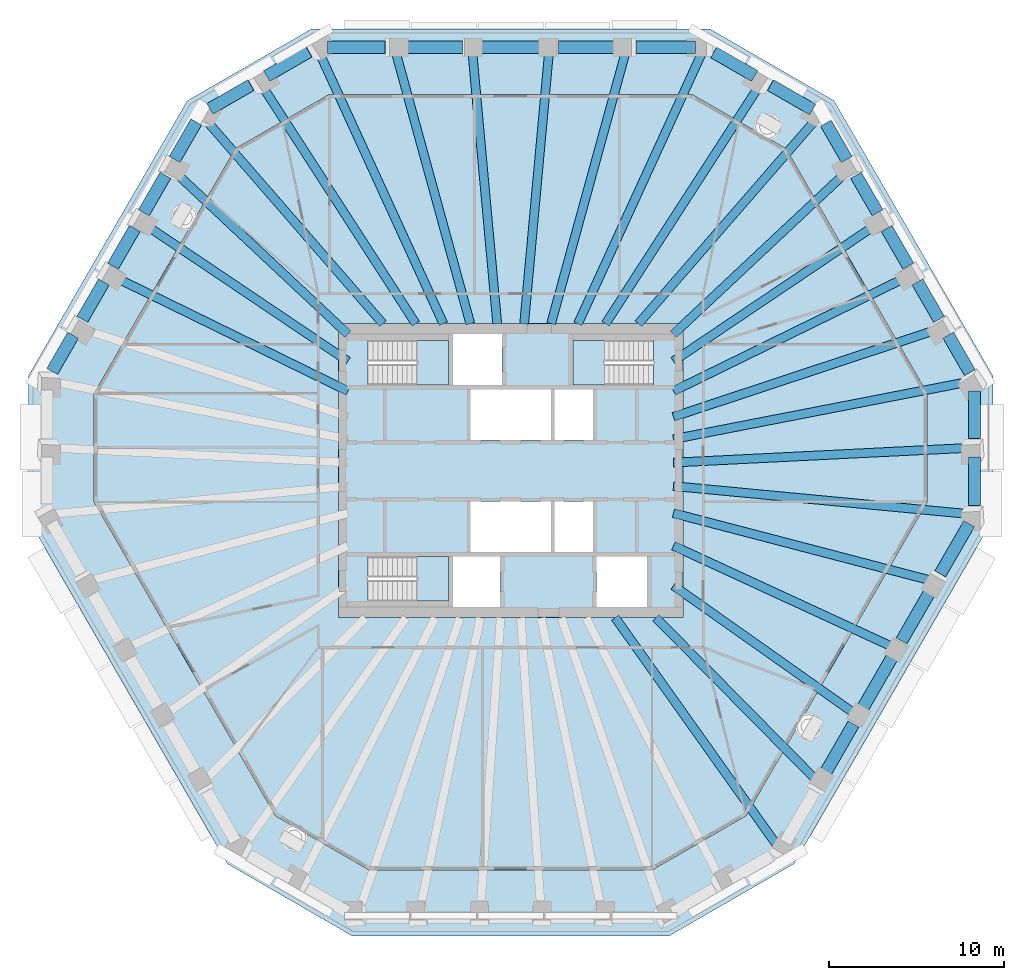
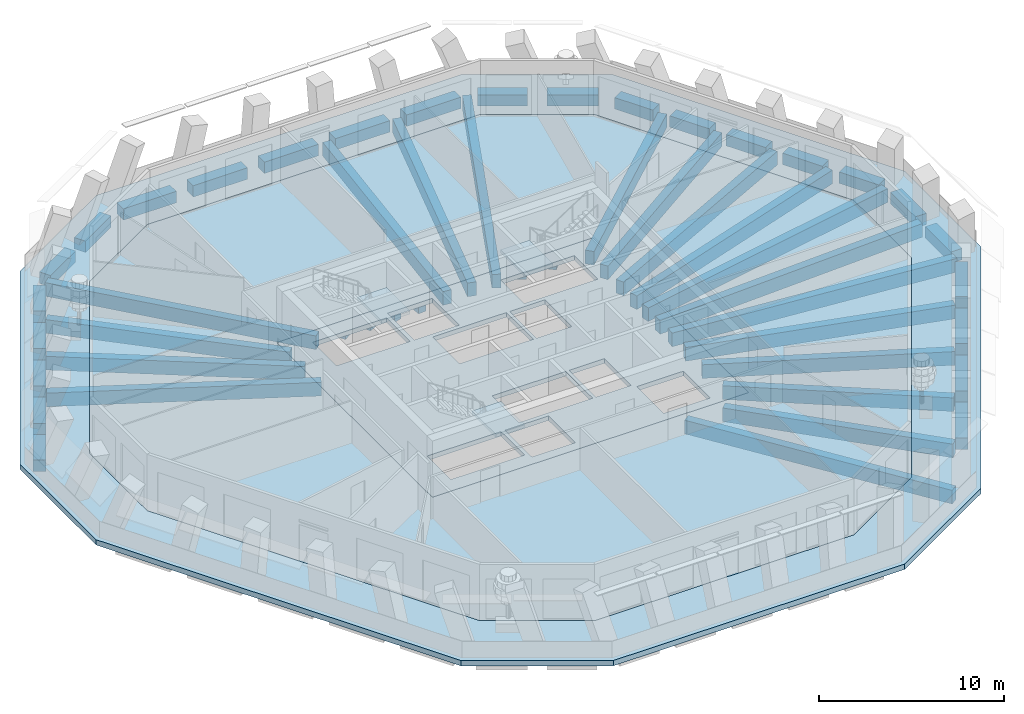
# One storey, part 2 of 12: 50 beams, 6 slabs, 3 elements without a shape of their own.
"""IFC4 building model written with IfcOpenShell, lengths in metres."""

import ifcopenshell
import ifcopenshell.guid

model = None  # the IFC model being written
_history = None  # IfcOwnerHistory: only IFC2X3 demands one
_inside = {}  # id of a spatial element -> (the spatial element, [elements in it])
_under = {}  # id of a project, library or spatial element -> (it, [spatial elements below it])
_declared = {}  # id of a project -> (the project, [libraries it declares])
_typed = {}  # id of a type object -> (the type object, [elements of that type])
_made_of = {}  # id of a material, layer set ... -> (it, [elements and type objects made of it])


def new_model(schema):
    """Start an empty IFC model of exactly this schema.

    Asked for "IFC4X3", IfcOpenShell would pick the latest addendum, in which some entities
    have other attributes; the version numbers below select the first issue.
    IFC2X3 requires an IfcOwnerHistory on every rooted entity: one is made here for all.
    """
    global model, _history
    if schema == "IFC4X3":
        model = ifcopenshell.file(schema_version=(4, 3, 0, 0))
    else:
        model = ifcopenshell.file(schema=schema)
    _inside.clear()
    _under.clear()
    _declared.clear()
    _typed.clear()
    _made_of.clear()
    _history = None
    if model.schema == "IFC2X3":
        org = make("IfcOrganization", Name="unknown")
        user = make(
            "IfcPersonAndOrganization",
            ThePerson=make("IfcPerson", FamilyName="unknown"),
            TheOrganization=org,
        )
        app = make(
            "IfcApplication",
            ApplicationDeveloper=org,
            Version="unknown",
            ApplicationFullName="unknown",
            ApplicationIdentifier="unknown",
        )
        _history = make(
            "IfcOwnerHistory",
            OwningUser=user,
            OwningApplication=app,
            ChangeAction="ADDED",
            CreationDate=0,
        )
    return model


def make(cls, **values):
    """One entity of the class cls with the attributes given. An attribute that is None is left unset."""
    return model.create_entity(
        cls, **{name: value for name, value in values.items() if value is not None}
    )


def rooted(cls, **values):
    """An entity with a GlobalId (a new one), such as an element, a storey or a relation."""
    return make(cls, GlobalId=ifcopenshell.guid.new(), OwnerHistory=_history, **values)


def si_unit(unit_type, name, prefix=None):
    """IfcSIUnit, for example si_unit("LENGTHUNIT", "METRE", prefix="MILLI")."""
    return make("IfcSIUnit", UnitType=unit_type, Prefix=prefix, Name=name)


def assignment(units):
    """IfcUnitAssignment: the units of a project."""
    return None if units is None else make("IfcUnitAssignment", Units=units)


def point(xyz):
    """IfcCartesianPoint."""
    return None if xyz is None else make("IfcCartesianPoint", Coordinates=xyz)


def direction(xyz):
    """IfcDirection."""
    return None if xyz is None else make("IfcDirection", DirectionRatios=xyz)


def frame(location, z_axis=None, x_axis=None):
    """IfcAxis2Placement3D, a coordinate frame: its origin and axes. An axis left out is left unset."""
    return make(
        "IfcAxis2Placement3D",
        Location=point(location),
        Axis=direction(z_axis),
        RefDirection=direction(x_axis),
    )


def frame_2d(location, x_axis=None):
    """IfcAxis2Placement2D, a coordinate frame in the plane: its origin and x axis."""
    return make(
        "IfcAxis2Placement2D", Location=point(location), RefDirection=direction(x_axis)
    )


def origin():
    """The frame at (0, 0, 0) with its axes left unset."""
    return frame((0.0, 0.0, 0.0))


def origin_2d():
    """The frame at (0, 0) in the plane with its x axis left unset."""
    return frame_2d((0.0, 0.0))


def place(relative_to, where):
    """IfcLocalPlacement: puts the frame where relative to a parent placement (None: the world)."""
    return make(
        "IfcLocalPlacement", PlacementRelTo=relative_to, RelativePlacement=where
    )


def context(
    kind, dimensions, precision=None, world=None, true_north=None, identifier=None
):
    """IfcGeometricRepresentationContext, for example the 3D "Model" context."""
    return make(
        "IfcGeometricRepresentationContext",
        ContextIdentifier=identifier,
        ContextType=kind,
        CoordinateSpaceDimension=dimensions,
        Precision=precision,
        WorldCoordinateSystem=world,
        TrueNorth=true_north,
    )


def subcontext(parent, identifier, kind, view, scale=None):
    """IfcGeometricRepresentationSubContext, for example "Body" below "Model"."""
    return make(
        "IfcGeometricRepresentationSubContext",
        ContextIdentifier=identifier,
        ContextType=kind,
        ParentContext=parent,
        TargetScale=scale,
        TargetView=view,
    )


def project(units=None, contexts=None):
    """IfcProject with its units and contexts."""
    return rooted(
        "IfcProject",
        Name="project",
        RepresentationContexts=contexts,
        UnitsInContext=assignment(units),
    )


def spatial(cls, under=None, at=None, **own):
    """A site, building, storey or space (cls), placed at a placement, below another one or the project."""
    s = rooted(cls, ObjectPlacement=at, **own)
    if under is not None:
        _under.setdefault(under.id(), (under, []))[1].append(s)
    return s


def polyline(points):
    """IfcPolyline through the points."""
    return make("IfcPolyline", Points=[point(p) for p in points])


def profile(cls, at=None, kind="AREA", **sizes):
    """A parametric profile (cls). Its sizes go by their IFC names, for example OverallWidth=200.0."""
    return make(cls, ProfileType=kind, Position=at, **sizes)


def rectangle(**sizes):
    """IfcRectangleProfileDef."""
    return profile("IfcRectangleProfileDef", **sizes)


def outline(outer, holes=None, kind="AREA"):
    """IfcArbitraryClosedProfileDef: a profile drawn as a closed curve; with holes, ...WithVoids."""
    if holes is None:
        return make("IfcArbitraryClosedProfileDef", ProfileType=kind, OuterCurve=outer)
    return make(
        "IfcArbitraryProfileDefWithVoids",
        ProfileType=kind,
        OuterCurve=outer,
        InnerCurves=holes,
    )


def extrude(swept, where, along, depth):
    """IfcExtrudedAreaSolid: the profile swept, set in the frame where, extruded along a direction by depth."""
    return make(
        "IfcExtrudedAreaSolid",
        SweptArea=swept,
        Position=where,
        ExtrudedDirection=direction(along),
        Depth=depth,
    )


def shape(context_of_items, identifier, shape_type, items):
    """IfcShapeRepresentation: the items that make up one representation, for example the "Body"."""
    return make(
        "IfcShapeRepresentation",
        ContextOfItems=context_of_items,
        RepresentationIdentifier=identifier,
        RepresentationType=shape_type,
        Items=items,
    )


def material(Name=None, Category=None):
    """IfcMaterial."""
    return make("IfcMaterial", Name=Name, Category=Category)


def layer(
    of_material, thickness, ventilated=None, Name=None, Category=None, Priority=None
):
    """IfcMaterialLayer: one layer of a wall or slab, of a material (None: an air gap)."""
    return make(
        "IfcMaterialLayer",
        Material=of_material,
        LayerThickness=thickness,
        IsVentilated=ventilated,
        Name=Name,
        Category=Category,
        Priority=Priority,
    )


def layer_set(layers, Name=None):
    """IfcMaterialLayerSet."""
    return make("IfcMaterialLayerSet", MaterialLayers=layers, LayerSetName=Name)


def material_profile(
    of_material, cross_section, Name=None, Category=None, Priority=None
):
    """IfcMaterialProfile: a cross section and its material."""
    return make(
        "IfcMaterialProfile",
        Name=Name,
        Material=of_material,
        Profile=cross_section,
        Priority=Priority,
        Category=Category,
    )


def profile_set(profiles, Name=None, composite=None):
    """IfcMaterialProfileSet."""
    return make(
        "IfcMaterialProfileSet",
        Name=Name,
        MaterialProfiles=profiles,
        CompositeProfile=composite,
    )


def made_of(thing, what):
    """Note that an element or type object is made of a material, layer set ...; save() writes the relation."""
    if what is not None:
        _made_of.setdefault(what.id(), (what, []))[1].append(thing)
    return thing


def type_object(cls, material=None, **own):
    """A type object (cls), such as IfcWallType, which elements share."""
    return made_of(rooted(cls, **own), material)


def element(
    cls,
    number,
    at=None,
    inside=None,
    cuts=None,
    type_object=None,
    material=None,
    context=None,
    identifier="Body",
    shape_type=None,
    held_by="IfcProductDefinitionShape",
    body=None,
    shapes=None,
    **own,
):
    """One element of the class cls, such as IfcWall. Its Tag is "e" and its number.

    at: its placement. inside: the storey or other place that contains it. cuts: it is an
    opening in that element (IfcRelVoidsElement). A single representation is given by context,
    identifier, shape_type and body (its items); several are given by shapes. held_by: the class
    of the entity that holds the representations. save() writes the other relations.
    """
    e = rooted(cls, Tag="e%d" % number, ObjectPlacement=at, **own)
    if body is not None:
        shapes = [shape(context, identifier, shape_type, body)]
    if shapes is not None:
        e.Representation = make(held_by, Representations=shapes)
    if inside is not None:
        _inside.setdefault(inside.id(), (inside, []))[1].append(e)
    if cuts is not None:
        rooted(
            "IfcRelVoidsElement", RelatingBuildingElement=cuts, RelatedOpeningElement=e
        )
    if type_object is not None:
        _typed.setdefault(type_object.id(), (type_object, []))[1].append(e)
    return made_of(e, material)


def aggregate(whole, parts):
    """IfcRelAggregates: a whole, such as a stair, and the parts it consists of."""
    return rooted("IfcRelAggregates", RelatingObject=whole, RelatedObjects=parts)


def save(model, path):
    """Write the relations noted so far, then the file.

    IfcRelAggregates (storeys below a building ...), IfcRelContainedInSpatialStructure (elements
    in a storey), IfcRelDefinesByType, IfcRelAssociatesMaterial and IfcRelDeclares: one each for
    every whole, place, type object, material and project.
    """
    for whole, parts in _under.values():
        aggregate(whole, parts)
    for where, things in _inside.values():
        rooted(
            "IfcRelContainedInSpatialStructure",
            RelatedElements=things,
            RelatingStructure=where,
        )
    for kind, things in _typed.values():
        rooted("IfcRelDefinesByType", RelatedObjects=things, RelatingType=kind)
    for what, things in _made_of.values():
        rooted("IfcRelAssociatesMaterial", RelatedObjects=things, RelatingMaterial=what)
    for by, libraries in _declared.values():
        rooted("IfcRelDeclares", RelatingContext=by, RelatedDefinitions=libraries)
    model.write(path)


model = new_model("IFC4")

# Units and contexts
model_context = context("Model", 3, precision=1e-05, world=origin(), true_north=direction((0.0, 1.0)))
body_context = subcontext(model_context, "Body", "Model", "MODEL_VIEW")
ifc_project = project(units=[si_unit("LENGTHUNIT", "METRE"), si_unit("AREAUNIT", "SQUARE_METRE"), si_unit("VOLUMEUNIT", "CUBIC_METRE"), si_unit("PLANEANGLEUNIT", "RADIAN"), si_unit("MASSUNIT", "GRAM", prefix="KILO")], contexts=[model_context])

# Site, building, storey
site_placement = place(None, origin())
site = spatial("IfcSite", under=ifc_project, at=site_placement, CompositionType="ELEMENT")
building_placement = place(site_placement, origin())
building = spatial("IfcBuilding", under=site, at=building_placement, Name="Frailejon Research Tower", CompositionType="ELEMENT")
storey_placement = place(building_placement, frame((0.0, 0.0, 253.39990234375)))
storey = spatial("IfcBuildingStorey", under=building, at=storey_placement, Name="L55", CompositionType="ELEMENT", Elevation=253.39990234375)

# Beams
ifc_material_1 = material(Name="Concrete C60/75", Category="concrete")
ifc_material_profile_1 = material_profile(ifc_material_1, rectangle(XDim=0.5, YDim=0.89990234375, at=origin_2d()), Name="Girder 500x900")
ifc_profile_set_1 = profile_set([ifc_material_profile_1], Name="Concrete C60/75")
beam_type_1 = type_object("IfcBeamType", Name="Girder 500x900", PredefinedType="BEAM", material=ifc_profile_set_1)
beam_1_placement = place(storey_placement, frame((26.12060546875, -2.47119140625, -0.75), z_axis=(-0.995554764761, 0.094184448622, 0.0), x_axis=(-0.094184448622, -0.995554764761, 0.0)))
element("IfcBeam", 1, at=beam_1_placement, inside=storey, type_object=beam_type_1, Name="Girder 500x900", PredefinedType="BEAM", context=body_context, shape_type="SweptSolid", body=[
    extrude(rectangle(XDim=0.5, YDim=0.89990234375, at=origin_2d()), origin(), (0.0, 0.0, 1.0), 16.895751953125),
])
beam_2_placement = place(storey_placement, frame((26.12109375, 1.30126953125, -0.75), z_axis=(-0.998761684093, -0.04975036067, 0.0), x_axis=(0.04975036067, -0.998761684093, 0.0)))
element("IfcBeam", 2, at=beam_2_placement, inside=storey, type_object=beam_type_1, Name="Girder 500x900", PredefinedType="BEAM", context=body_context, shape_type="SweptSolid", body=[
    extrude(rectangle(XDim=0.5, YDim=0.89990234375, at=origin_2d()), origin(), (0.0, 0.0, 1.0), 16.841796875),
])
beam_3_placement = place(storey_placement, frame((26.0986328125, 5.0693359375, -0.75), z_axis=(-0.981653164088, -0.190675287951, 0.0), x_axis=(0.190675287951, -0.981653164088, 0.0)))
element("IfcBeam", 3, at=beam_3_placement, inside=storey, type_object=beam_type_1, Name="Girder 500x900", PredefinedType="BEAM", context=body_context, shape_type="SweptSolid", body=[
    extrude(rectangle(XDim=0.5, YDim=0.89990234375, at=origin_2d()), origin(), (0.0, 0.0, 1.0), 17.112548828125),
])
beam_4_placement = place(storey_placement, frame((24.37158203125, 8.070556640625, -0.75), z_axis=(-0.949302720599, -0.31436339587, 0.0), x_axis=(0.31436339587, -0.949302720599, 0.0)))
element("IfcBeam", 4, at=beam_4_placement, inside=storey, type_object=beam_type_1, Name="Girder 500x900", PredefinedType="BEAM", context=body_context, shape_type="SweptSolid", body=[
    extrude(rectangle(XDim=0.5, YDim=0.89990234375, at=origin_2d()), origin(), (0.0, 0.0, 1.0), 15.87646484375),
])
beam_5_placement = place(storey_placement, frame((22.64208984375, 11.072021484375, -0.75), z_axis=(-0.898340826586, -0.439299168323, 0.0), x_axis=(0.439299168323, -0.898340826586, 0.0)))
element("IfcBeam", 5, at=beam_5_placement, inside=storey, type_object=beam_type_1, Name="Girder 500x900", PredefinedType="BEAM", context=body_context, shape_type="SweptSolid", body=[
    extrude(rectangle(XDim=0.5, YDim=0.89990234375, at=origin_2d()), origin(), (0.0, 0.0, 1.0), 14.851806640625),
])
beam_6_placement = place(storey_placement, frame((20.90966796875, 14.072509765625, -0.75), z_axis=(-0.829610592375, -0.558342426311, 0.0), x_axis=(0.558342426311, -0.829610592375, 0.0)))
element("IfcBeam", 6, at=beam_6_placement, inside=storey, type_object=beam_type_1, Name="Girder 500x900", PredefinedType="BEAM", context=body_context, shape_type="SweptSolid", body=[
    extrude(rectangle(XDim=0.5, YDim=0.89990234375, at=origin_2d()), origin(), (0.0, 0.0, 1.0), 13.994140625),
])
beam_7_placement = place(storey_placement, frame((19.1796875, 17.061767578125, -0.75), z_axis=(-0.729553508164, -0.683923737507, 0.0), x_axis=(0.683923737507, -0.729553508164, 0.0)))
element("IfcBeam", 7, at=beam_7_placement, inside=storey, type_object=beam_type_1, Name="Girder 500x900", PredefinedType="BEAM", context=body_context, shape_type="SweptSolid", body=[
    extrude(rectangle(XDim=0.5, YDim=0.89990234375, at=origin_2d()), origin(), (0.0, 0.0, 1.0), 13.5419921875),
])
beam_8_placement = place(storey_placement, frame((17.452880859375, 20.082763671875, -0.75), z_axis=(-0.655951405997, -0.754803121993, 0.0), x_axis=(0.754803121993, -0.655951405997, 0.0)))
element("IfcBeam", 8, at=beam_8_placement, inside=storey, type_object=beam_type_1, Name="Girder 500x900", PredefinedType="BEAM", context=body_context, shape_type="SweptSolid", body=[
    extrude(rectangle(XDim=0.5, YDim=0.89990234375, at=origin_2d()), origin(), (0.0, 0.0, 1.0), 15.47802734375),
])
beam_9_placement = place(storey_placement, frame((14.1875, 21.970947265625, -0.75), z_axis=(-0.542462108541, -0.840080270449, 0.0), x_axis=(0.840080270449, -0.542462108541, 0.0)))
element("IfcBeam", 9, at=beam_9_placement, inside=storey, type_object=beam_type_1, Name="Girder 500x900", PredefinedType="BEAM", context=body_context, shape_type="SweptSolid", body=[
    extrude(rectangle(XDim=0.5, YDim=0.89990234375, at=origin_2d()), origin(), (0.0, 0.0, 1.0), 16.154541015625),
])
beam_10_placement = place(storey_placement, frame((10.8994140625, 23.811279296875, -0.75), z_axis=(-0.416210753712, -0.909268171935, 0.0), x_axis=(0.909268171935, -0.416210753712, 0.0)))
element("IfcBeam", 10, at=beam_10_placement, inside=storey, type_object=beam_type_1, Name="Girder 500x900", PredefinedType="BEAM", context=body_context, shape_type="SweptSolid", body=[
    extrude(rectangle(XDim=0.5, YDim=0.89990234375, at=origin_2d()), origin(), (0.0, 0.0, 1.0), 16.94921875),
])
beam_11_placement = place(storey_placement, frame((6.5419921875, 23.819580078125, -0.75), z_axis=(-0.264848099986, -0.964290145098, 0.0), x_axis=(0.964290145098, -0.264848099986, 0.0)))
element("IfcBeam", 11, at=beam_11_placement, inside=storey, type_object=beam_type_1, Name="Girder 500x900", PredefinedType="BEAM", context=body_context, shape_type="SweptSolid", body=[
    extrude(rectangle(XDim=0.5, YDim=0.89990234375, at=origin_2d()), origin(), (0.0, 0.0, 1.0), 15.99072265625),
])
for number, where, z_axis, x_axis, name in (
    (12, (2.18115234375, 23.824462890625, -0.75), (-0.091168150892, -0.995835512654, 0.0), (0.995835512654, -0.091168150892, 0.0), "Girder 500x900"),
    (13, (-2.18115234375, 23.824462890625, -0.75), (0.091168150892, -0.995835512654, 0.0), (0.995835512654, 0.091168150892, 0.0), "Girder 500x900"),
):
    element("IfcBeam", number, at=place(storey_placement, frame(where, z_axis=z_axis, x_axis=x_axis)), inside=storey, type_object=beam_type_1, Name=name, PredefinedType="BEAM", context=body_context, shape_type="SweptSolid", body=[
        extrude(rectangle(XDim=0.5, YDim=0.89990234375, at=origin_2d()), origin(), (0.0, 0.0, 1.0), 15.489013671875),
    ])
beam_12_placement = place(storey_placement, frame((-6.5419921875, 23.819580078125, -0.75), z_axis=(0.264848099986, -0.964290145098, 0.0), x_axis=(0.964290145098, 0.264848099986, 0.0)))
element("IfcBeam", 14, at=beam_12_placement, inside=storey, type_object=beam_type_1, Name="Girder 500x900", PredefinedType="BEAM", context=body_context, shape_type="SweptSolid", body=[
    extrude(rectangle(XDim=0.5, YDim=0.89990234375, at=origin_2d()), origin(), (0.0, 0.0, 1.0), 15.99072265625),
])
beam_13_placement = place(storey_placement, frame((-10.920166015625, 23.85693359375, -0.75), z_axis=(0.416203654784, -0.909271421383, 0.0), x_axis=(0.909271421383, 0.416203654784, 0.0)))
element("IfcBeam", 15, at=beam_13_placement, inside=storey, type_object=beam_type_1, Name="Girder 500x900", PredefinedType="BEAM", context=body_context, shape_type="SweptSolid", body=[
    extrude(rectangle(XDim=0.5, YDim=0.89990234375, at=origin_2d()), origin(), (0.0, 0.0, 1.0), 16.999267578125),
])
beam_14_placement = place(storey_placement, frame((-14.1875, 21.970947265625, -0.75), z_axis=(0.542462108541, -0.840080270449, 0.0), x_axis=(0.840080270449, 0.542462108541, 0.0)))
element("IfcBeam", 16, at=beam_14_placement, inside=storey, type_object=beam_type_1, Name="Girder 500x900", PredefinedType="BEAM", context=body_context, shape_type="SweptSolid", body=[
    extrude(rectangle(XDim=0.5, YDim=0.89990234375, at=origin_2d()), origin(), (0.0, 0.0, 1.0), 16.154541015625),
])
beam_15_placement = place(storey_placement, frame((-17.439453125, 20.0673828125, -0.75), z_axis=(0.655949150049, -0.754805082488, 0.0), x_axis=(0.754805082488, 0.655949150049, 0.0)))
element("IfcBeam", 17, at=beam_15_placement, inside=storey, type_object=beam_type_1, Name="Girder 500x900", PredefinedType="BEAM", context=body_context, shape_type="SweptSolid", body=[
    extrude(rectangle(XDim=0.5, YDim=0.89990234375, at=origin_2d()), origin(), (0.0, 0.0, 1.0), 15.45751953125),
])
beam_16_placement = place(storey_placement, frame((-19.1796875, 17.061767578125, -0.75), z_axis=(0.729553508164, -0.683923737507, 0.0), x_axis=(0.683923737507, 0.729553508164, 0.0)))
element("IfcBeam", 18, at=beam_16_placement, inside=storey, type_object=beam_type_1, Name="Girder 500x900", PredefinedType="BEAM", context=body_context, shape_type="SweptSolid", body=[
    extrude(rectangle(XDim=0.5, YDim=0.89990234375, at=origin_2d()), origin(), (0.0, 0.0, 1.0), 13.5419921875),
])
beam_17_placement = place(storey_placement, frame((-20.90966796875, 14.072509765625, -0.75), z_axis=(0.829610592375, -0.558342426311, 0.0), x_axis=(0.558342426311, 0.829610592375, 0.0)))
element("IfcBeam", 19, at=beam_17_placement, inside=storey, type_object=beam_type_1, Name="Girder 500x900", PredefinedType="BEAM", context=body_context, shape_type="SweptSolid", body=[
    extrude(rectangle(XDim=0.5, YDim=0.89990234375, at=origin_2d()), origin(), (0.0, 0.0, 1.0), 13.994140625),
])
beam_18_placement = place(storey_placement, frame((-22.64208984375, 11.072021484375, -0.75), z_axis=(0.898340826586, -0.439299168323, 0.0), x_axis=(0.439299168323, 0.898340826586, 0.0)))
element("IfcBeam", 20, at=beam_18_placement, inside=storey, type_object=beam_type_1, Name="Girder 500x900", PredefinedType="BEAM", context=body_context, shape_type="SweptSolid", body=[
    extrude(rectangle(XDim=0.5, YDim=0.89990234375, at=origin_2d()), origin(), (0.0, 0.0, 1.0), 14.851806640625),
])
beam_19_placement = place(storey_placement, frame((15.171630859375, -21.3447265625, -0.75), z_axis=(-0.579344762249, 0.815082601001, 0.0), x_axis=(-0.815082601001, -0.579344762249, 0.0)))
element("IfcBeam", 21, at=beam_19_placement, inside=storey, type_object=beam_type_1, Name="Girder 500x900", PredefinedType="BEAM", context=body_context, shape_type="SweptSolid", body=[
    extrude(rectangle(XDim=0.5, YDim=0.89990234375, at=origin_2d()), origin(), (0.0, 0.0, 1.0), 15.881591796875),
])
beam_20_placement = place(storey_placement, frame((17.357421875, -17.5751953125, -0.75), z_axis=(-0.702681854949, 0.711504188832, 0.0), x_axis=(-0.711504188832, -0.702681854949, 0.0)))
element("IfcBeam", 22, at=beam_20_placement, inside=storey, type_object=beam_type_1, Name="Girder 500x900", PredefinedType="BEAM", context=body_context, shape_type="SweptSolid", body=[
    extrude(rectangle(XDim=0.5, YDim=0.89990234375, at=origin_2d()), origin(), (0.0, 0.0, 1.0), 12.8955078125),
])
beam_21_placement = place(storey_placement, frame((19.5419921875, -13.801025390625, -0.75), z_axis=(-0.816834556195, 0.576872002965, 0.0), x_axis=(-0.576872002965, -0.816834556195, 0.0)))
element("IfcBeam", 23, at=beam_21_placement, inside=storey, type_object=beam_type_1, Name="Girder 500x900", PredefinedType="BEAM", context=body_context, shape_type="SweptSolid", body=[
    extrude(rectangle(XDim=0.5, YDim=0.89990234375, at=origin_2d()), origin(), (0.0, 0.0, 1.0), 12.53857421875),
])
beam_22_placement = place(storey_placement, frame((21.722900390625, -10.0234375, -0.75), z_axis=(-0.907999595732, 0.418971042139, 0.0), x_axis=(-0.418971042139, -0.907999595732, 0.0)))
element("IfcBeam", 24, at=beam_22_placement, inside=storey, type_object=beam_type_1, Name="Girder 500x900", PredefinedType="BEAM", context=body_context, shape_type="SweptSolid", body=[
    extrude(rectangle(XDim=0.5, YDim=0.89990234375, at=origin_2d()), origin(), (0.0, 0.0, 1.0), 13.681640625),
])
beam_23_placement = place(storey_placement, frame((23.8994140625, -6.244384765625, -0.75), z_axis=(-0.967521327988, 0.252789398292, 0.0), x_axis=(-0.252789398292, -0.967521327988, 0.0)))
element("IfcBeam", 25, at=beam_23_placement, inside=storey, type_object=beam_type_1, Name="Girder 500x900", PredefinedType="BEAM", context=body_context, shape_type="SweptSolid", body=[
    extrude(rectangle(XDim=0.5, YDim=0.89990234375, at=origin_2d()), origin(), (0.0, 0.0, 1.0), 15.08935546875),
])
ifc_material_2 = material(Name="Concrete C60/75", Category="concrete")
ifc_material_profile_2 = material_profile(ifc_material_2, rectangle(XDim=0.699951171875, YDim=0.75, at=origin_2d()), Name="Spandrel 700x750")
ifc_profile_set_2 = profile_set([ifc_material_profile_2], Name="Concrete C60/75")
beam_type_2 = type_object("IfcBeamType", Name="Spandrel 700x750", PredefinedType="BEAM", material=ifc_profile_set_2)
beam_24_placement = place(storey_placement, frame((26.496337890625, -1.981689453125, -0.724853515625), z_axis=(0.0, 1.0, 0.0), x_axis=(-1.0, 0.0, 0.0)))
element("IfcBeam", 26, at=beam_24_placement, inside=storey, type_object=beam_type_2, Name="Spandrel 700x750", PredefinedType="BEAM", context=body_context, shape_type="SweptSolid", body=[
    extrude(rectangle(XDim=0.699951171875, YDim=0.75, at=origin_2d()), origin(), (0.0, 0.0, 1.0), 2.776611328125),
])
beam_25_placement = place(storey_placement, frame((26.496337890625, 1.844970703125, -0.724853515625), z_axis=(0.0, 1.0, 0.0), x_axis=(-1.0, 0.0, 0.0)))
element("IfcBeam", 27, at=beam_25_placement, inside=storey, type_object=beam_type_2, Name="Spandrel 700x750", PredefinedType="BEAM", context=body_context, shape_type="SweptSolid", body=[
    extrude(rectangle(XDim=0.699951171875, YDim=0.75, at=origin_2d()), origin(), (0.0, 0.0, 1.0), 2.6953125),
])
for number, where, z_axis, x_axis, name in (
    (28, (26.23388671875, 5.601318359375, -0.724853515625), (-0.49998236749, 0.86603558368, 0.0), (-0.86603558368, -0.49998236749, 0.0), "Spandrel 700x750"),
    (29, (24.4755859375, 8.646728515625, -0.724853515625), (-0.49998236749, 0.86603558368, 0.0), (-0.86603558368, -0.49998236749, 0.0), "Spandrel 700x750"),
    (30, (22.717529296875, 11.69189453125, -0.724853515625), (-0.49998236749, 0.86603558368, 0.0), (-0.86603558368, -0.49998236749, 0.0), "Spandrel 700x750"),
    (31, (20.959228515625, 14.7373046875, -0.724853515625), (-0.49998236749, 0.86603558368, 0.0), (-0.86603558368, -0.49998236749, 0.0), "Spandrel 700x750"),
):
    element("IfcBeam", number, at=place(storey_placement, frame(where, z_axis=z_axis, x_axis=x_axis)), inside=storey, type_object=beam_type_2, Name=name, PredefinedType="BEAM", context=body_context, shape_type="SweptSolid", body=[
        extrude(rectangle(XDim=0.699951171875, YDim=0.75, at=origin_2d()), origin(), (0.0, 0.0, 1.0), 2.46630859375),
    ])
beam_26_placement = place(storey_placement, frame((19.201171875, 17.78271484375, -0.724853515625), z_axis=(-0.500079782331, 0.865979336534, 0.0), x_axis=(-0.865979336534, -0.500079782331, 0.0)))
element("IfcBeam", 32, at=beam_26_placement, inside=storey, type_object=beam_type_2, Name="Spandrel 700x750", PredefinedType="BEAM", context=body_context, shape_type="SweptSolid", body=[
    extrude(rectangle(XDim=0.699951171875, YDim=0.75, at=origin_2d()), origin(), (0.0, 0.0, 1.0), 2.38525390625),
])
beam_27_placement = place(storey_placement, frame((17.25048828125, 20.6357421875, -0.724853515625), z_axis=(-0.865999619105, 0.500044657716, 0.0), x_axis=(-0.500044657716, -0.865999619105, 0.0)))
element("IfcBeam", 33, at=beam_27_placement, inside=storey, type_object=beam_type_2, Name="Spandrel 700x750", PredefinedType="BEAM", context=body_context, shape_type="SweptSolid", body=[
    extrude(rectangle(XDim=0.699951171875, YDim=0.75, at=origin_2d()), origin(), (0.0, 0.0, 1.0), 2.776611328125),
])
beam_28_placement = place(storey_placement, frame((13.9365234375, 22.549072265625, -0.724853515625), z_axis=(-0.86598798235, 0.500064810224, 0.0), x_axis=(-0.500064810224, -0.86598798235, 0.0)))
element("IfcBeam", 34, at=beam_28_placement, inside=storey, type_object=beam_type_2, Name="Spandrel 700x750", PredefinedType="BEAM", context=body_context, shape_type="SweptSolid", body=[
    extrude(rectangle(XDim=0.699951171875, YDim=0.75, at=origin_2d()), origin(), (0.0, 0.0, 1.0), 2.695556640625),
])
for number, where, z_axis, x_axis, name in (
    (35, (10.55224609375, 24.199951171875, -0.724853515625), (-1.0, 0.0, 0.0), (0.0, -1.0, 0.0), "Spandrel 700x750"),
    (36, (6.121337890625, 24.199951171875, -0.724853515625), (-1.0, 0.0, 0.0), (0.0, -1.0, 0.0), "Spandrel 700x750"),
    (37, (1.6904296875, 24.199951171875, -0.724853515625), (-1.0, 0.0, 0.0), (0.0, -1.0, 0.0), "Spandrel 700x750"),
    (38, (-2.740478515625, 24.199951171875, -0.724853515625), (-1.0, 0.0, 0.0), (0.0, -1.0, 0.0), "Spandrel 700x750"),
):
    element("IfcBeam", number, at=place(storey_placement, frame(where, z_axis=z_axis, x_axis=x_axis)), inside=storey, type_object=beam_type_2, Name=name, PredefinedType="BEAM", context=body_context, shape_type="SweptSolid", body=[
        extrude(rectangle(XDim=0.699951171875, YDim=0.75, at=origin_2d()), origin(), (0.0, 0.0, 1.0), 3.380859375),
    ])
beam_29_placement = place(storey_placement, frame((-7.17138671875, 24.199951171875, -0.724853515625), z_axis=(-1.0, 0.0, 0.0), x_axis=(0.0, -1.0, 0.0)))
element("IfcBeam", 39, at=beam_29_placement, inside=storey, type_object=beam_type_2, Name="Spandrel 700x750", PredefinedType="BEAM", context=body_context, shape_type="SweptSolid", body=[
    extrude(rectangle(XDim=0.699951171875, YDim=0.75, at=origin_2d()), origin(), (0.0, 0.0, 1.0), 3.2998046875),
])
beam_30_placement = place(storey_placement, frame((-11.531982421875, 23.9375, -0.724853515625), z_axis=(-0.865999619105, -0.500044657716, 0.0), x_axis=(0.500044657716, -0.865999619105, 0.0)))
element("IfcBeam", 40, at=beam_30_placement, inside=storey, type_object=beam_type_2, Name="Spandrel 700x750", PredefinedType="BEAM", context=body_context, shape_type="SweptSolid", body=[
    extrude(rectangle(XDim=0.699951171875, YDim=0.75, at=origin_2d()), origin(), (0.0, 0.0, 1.0), 2.776611328125),
])
beam_31_placement = place(storey_placement, frame((-14.845947265625, 22.024169921875, -0.724853515625), z_axis=(-0.866049846835, -0.499957661005, 0.0), x_axis=(0.499957661005, -0.866049846835, 0.0)))
element("IfcBeam", 41, at=beam_31_placement, inside=storey, type_object=beam_type_2, Name="Spandrel 700x750", PredefinedType="BEAM", context=body_context, shape_type="SweptSolid", body=[
    extrude(rectangle(XDim=0.699951171875, YDim=0.75, at=origin_2d()), origin(), (0.0, 0.0, 1.0), 2.695556640625),
])
beam_32_placement = place(storey_placement, frame((-17.9677734375, 19.918701171875, -0.724853515625), z_axis=(-0.50005660383, -0.865992721082, 0.0), x_axis=(0.865992721082, -0.50005660383, 0.0)))
element("IfcBeam", 42, at=beam_32_placement, inside=storey, type_object=beam_type_2, Name="Spandrel 700x750", PredefinedType="BEAM", context=body_context, shape_type="SweptSolid", body=[
    extrude(rectangle(XDim=0.699951171875, YDim=0.75, at=origin_2d()), origin(), (0.0, 0.0, 1.0), 2.466552734375),
])
for number, where, z_axis, x_axis, name in (
    (43, (-19.72607421875, 16.873291015625, -0.724853515625), (-0.49998236749, -0.86603558368, 0.0), (0.86603558368, -0.49998236749, 0.0), "Spandrel 700x750"),
    (44, (-21.484375, 13.827880859375, -0.724853515625), (-0.49998236749, -0.86603558368, 0.0), (0.86603558368, -0.49998236749, 0.0), "Spandrel 700x750"),
    (45, (-23.242431640625, 10.78271484375, -0.724853515625), (-0.49998236749, -0.86603558368, 0.0), (0.86603558368, -0.49998236749, 0.0), "Spandrel 700x750"),
):
    element("IfcBeam", number, at=place(storey_placement, frame(where, z_axis=z_axis, x_axis=x_axis)), inside=storey, type_object=beam_type_2, Name=name, PredefinedType="BEAM", context=body_context, shape_type="SweptSolid", body=[
        extrude(rectangle(XDim=0.699951171875, YDim=0.75, at=origin_2d()), origin(), (0.0, 0.0, 1.0), 2.46630859375),
    ])
beam_33_placement = place(storey_placement, frame((-25.000732421875, 7.7373046875, -0.724853515625), z_axis=(-0.50000302246, -0.866023658759, 0.0), x_axis=(0.866023658759, -0.50000302246, 0.0)))
element("IfcBeam", 46, at=beam_33_placement, inside=storey, type_object=beam_type_2, Name="Spandrel 700x750", PredefinedType="BEAM", context=body_context, shape_type="SweptSolid", body=[
    extrude(rectangle(XDim=0.699951171875, YDim=0.75, at=origin_2d()), origin(), (0.0, 0.0, 1.0), 2.38525390625),
])
beam_34_placement = place(storey_placement, frame((17.897216796875, -17.401123046875, -0.724853515625), z_axis=(0.500022507987, 0.866012408402, 0.0), x_axis=(-0.866012408402, 0.500022507987, 0.0)))
element("IfcBeam", 47, at=beam_34_placement, inside=storey, type_object=beam_type_2, Name="Spandrel 700x750", PredefinedType="BEAM", context=body_context, shape_type="SweptSolid", body=[
    extrude(rectangle(XDim=0.699951171875, YDim=0.75, at=origin_2d()), origin(), (0.0, 0.0, 1.0), 3.380615234375),
])
beam_35_placement = place(storey_placement, frame((20.112548828125, -13.56396484375, -0.724853515625), z_axis=(0.4999912383, 0.866030462295, 0.0), x_axis=(-0.866030462295, 0.4999912383, 0.0)))
element("IfcBeam", 48, at=beam_35_placement, inside=storey, type_object=beam_type_2, Name="Spandrel 700x750", PredefinedType="BEAM", context=body_context, shape_type="SweptSolid", body=[
    extrude(rectangle(XDim=0.699951171875, YDim=0.75, at=origin_2d()), origin(), (0.0, 0.0, 1.0), 3.380859375),
])
beam_36_placement = place(storey_placement, frame((22.327880859375, -9.726806640625, -0.724853515625), z_axis=(0.500045394496, 0.865999193674, 0.0), x_axis=(-0.865999193674, 0.500045394496, 0.0)))
element("IfcBeam", 49, at=beam_36_placement, inside=storey, type_object=beam_type_2, Name="Spandrel 700x750", PredefinedType="BEAM", context=body_context, shape_type="SweptSolid", body=[
    extrude(rectangle(XDim=0.699951171875, YDim=0.75, at=origin_2d()), origin(), (0.0, 0.0, 1.0), 3.381103515625),
])
beam_37_placement = place(storey_placement, frame((24.54345703125, -5.889404296875, -0.724853515625), z_axis=(0.500006386895, 0.866021716278, 0.0), x_axis=(-0.866021716278, 0.500006386895, 0.0)))
element("IfcBeam", 50, at=beam_37_placement, inside=storey, type_object=beam_type_2, Name="Spandrel 700x750", PredefinedType="BEAM", context=body_context, shape_type="SweptSolid", body=[
    extrude(rectangle(XDim=0.699951171875, YDim=0.75, at=origin_2d()), origin(), (0.0, 0.0, 1.0), 3.2998046875),
])

# Slabs
ifc_material_3 = material(Name="Concrete C50/60", Category="concrete")
ifc_layer_1 = layer(ifc_material_3, 0.300048828125)
ifc_layer_set_1 = layer_set([ifc_layer_1], Name="Core floor slab 300 C50/60")
slab_type_1 = type_object("IfcSlabType", Name="Core floor slab 300 C50/60", PredefinedType="FLOOR", material=ifc_layer_set_1)
slab_1_placement = place(storey_placement, frame((0.0, 0.0, -0.2998046875)))
element("IfcSlab", 51, at=slab_1_placement, inside=storey, type_object=slab_type_1, Name="Core floor slab", PredefinedType="FLOOR", context=body_context, shape_type="SweptSolid", body=[
    extrude(outline(polyline([(9.85009765625, -8.39990234375), (9.85009765625, 8.39990234375), (-9.85009765625, 8.39990234375), (-9.85009765625, -8.39990234375), (9.85009765625, -8.39990234375)]), holes=[polyline([(2.300048828125, 1.75), (2.300048828125, 4.64990234375), (-2.300048828125, 4.64990234375), (-2.300048828125, 1.75), (2.300048828125, 1.75)]), polyline([(4.699951171875, 1.75), (4.699951171875, 4.64990234375), (2.5, 4.64990234375), (2.5, 1.75), (4.699951171875, 1.75)]), polyline([(2.300048828125, -4.64990234375), (2.300048828125, -1.75), (-2.300048828125, -1.75), (-2.300048828125, -4.64990234375), (2.300048828125, -4.64990234375)]), polyline([(4.699951171875, -4.64990234375), (4.699951171875, -1.75), (2.5, -1.75), (2.5, -4.64990234375), (4.699951171875, -4.64990234375)]), polyline([(-8.14697265625, 4.89990234375), (-3.550048828125, 4.89990234375), (-3.550048828125, 7.449951171875), (-8.14697265625, 7.449951171875), (-8.14697265625, 4.89990234375)]), polyline([(-8.14697265625, -7.449951171875), (-3.550048828125, -7.449951171875), (-3.550048828125, -4.89990234375), (-8.14697265625, -4.89990234375), (-8.14697265625, -7.449951171875)]), polyline([(8.14697265625, 7.449951171875), (3.550048828125, 7.449951171875), (3.550048828125, 4.89990234375), (8.14697265625, 4.89990234375), (8.14697265625, 7.449951171875)]), polyline([(-0.60009765625, -7.800048828125), (-0.60009765625, -4.89990234375), (-3.300048828125, -4.89990234375), (-3.300048828125, -7.800048828125), (-0.60009765625, -7.800048828125)]), polyline([(7.800048828125, -7.800048828125), (7.800048828125, -4.89990234375), (4.89990234375, -4.89990234375), (4.89990234375, -7.800048828125), (7.800048828125, -7.800048828125)]), polyline([(-0.5, 4.89990234375), (-0.5, 7.800048828125), (-3.300048828125, 7.800048828125), (-3.300048828125, 4.89990234375), (-0.5, 4.89990234375)])]), origin(), (0.0, 0.0, 1.0), 0.2998046875),
])
ifc_material_4 = material(Name="Concrete C40/50", Category="concrete")
ifc_layer_2 = layer(ifc_material_4, 0.35009765625)
ifc_layer_set_2 = layer_set([ifc_layer_2], Name="Loggia slab 350")
slab_type_2 = type_object("IfcSlabType", Name="Loggia slab 350", PredefinedType="USERDEFINED", material=ifc_layer_set_2)
slab_2_placement = place(storey_placement, frame((0.0, 0.0, -0.349853515625)))
element("IfcSlab", 52, at=slab_2_placement, inside=storey, type_object=slab_type_2, Name="Loggia slab L55", ObjectType="LOGGIA", PredefinedType="USERDEFINED", context=body_context, shape_type="SweptSolid", body=[
    extrude(outline(polyline([(16.187744140625, -22.4619140625), (9.072509765625, -26.56982421875), (-9.072509765625, -26.56982421875), (-16.187744140625, -22.4619140625), (-27.54638671875, -2.7880859375), (-27.54638671875, 5.427978515625), (-18.47412109375, 21.141845703125), (-11.358642578125, 25.25), (11.358642578125, 25.25), (18.47412109375, 21.141845703125), (27.54638671875, 5.427978515625), (27.54638671875, -2.7880859375), (16.187744140625, -22.4619140625)]), holes=[polyline([(23.79638671875, 4.423095703125), (15.728759765625, 18.396728515625), (10.353759765625, 21.5), (-10.353759765625, 21.5), (-15.728759765625, 18.396728515625), (-23.79638671875, 4.423095703125), (-23.79638671875, -1.783447265625), (-13.442626953125, -19.716552734375), (-8.067626953125, -22.81982421875), (8.067626953125, -22.81982421875), (13.442626953125, -19.716552734375), (23.79638671875, -1.783447265625), (23.79638671875, 4.423095703125)])]), origin(), (0.0, 0.0, 1.0), 0.349853515625),
])
ifc_material_5 = material(Name="Concrete C40/50", Category="concrete")
ifc_layer_3 = layer(ifc_material_5, 0.300048828125)
ifc_layer_set_3 = layer_set([ifc_layer_3], Name="Slab typical 300")
slab_type_3 = type_object("IfcSlabType", Name="Slab typical 300", PredefinedType="FLOOR", material=ifc_layer_set_3)
slab_3_placement = place(storey_placement, frame((0.0, 0.0, -0.2998046875)))
element("IfcSlab", 53, at=slab_3_placement, inside=storey, type_object=slab_type_3, Name="Floor slab L55", PredefinedType="FLOOR", context=body_context, shape_type="SweptSolid", body=[
    extrude(outline(polyline([(23.79638671875, -1.783447265625), (23.79638671875, 4.423095703125), (15.728759765625, 18.396728515625), (10.353759765625, 21.5), (-10.353759765625, 21.5), (-15.728759765625, 18.396728515625), (-23.79638671875, 4.423095703125), (-23.79638671875, -1.783447265625), (-13.442626953125, -19.716552734375), (-8.067626953125, -22.81982421875), (8.067626953125, -22.81982421875), (13.442626953125, -19.716552734375), (23.79638671875, -1.783447265625)]), holes=[polyline([(9.300048828125, 8.39990234375), (9.85009765625, 8.39990234375), (9.85009765625, -8.39990234375), (9.300048828125, -8.39990234375), (-9.300048828125, -8.39990234375), (-9.85009765625, -8.39990234375), (-9.85009765625, 8.39990234375), (-9.300048828125, 8.39990234375), (9.300048828125, 8.39990234375)])]), origin(), (0.0, 0.0, 1.0), 0.2998046875),
])

# Stair, slab
ifc_material_6 = material(Name="Concrete C50/60", Category="concrete")
stair_type = type_object("IfcStairType", Name="Exit stair 22 risers", PredefinedType="HALF_TURN_STAIR", material=ifc_material_6)
stair_1_placement = place(storey_placement, origin())
stair_1 = element("IfcStair", 54, at=stair_1_placement, inside=storey, type_object=stair_type, Name="L55 Exit stair ST1", PredefinedType="HALF_TURN_STAIR")
ifc_material_7 = material(Name="Concrete C50/60", Category="concrete")
ifc_layer_4 = layer(ifc_material_7, 0.199951171875)
ifc_layer_set_4 = layer_set([ifc_layer_4], Name="Stair landing slab 200")
slab_type_4 = type_object("IfcSlabType", Name="Stair landing slab 200", PredefinedType="LANDING", material=ifc_layer_set_4)
slab_4_placement = place(storey_placement, frame((0.0, 0.0, 1.800048828125)))
slab_4 = element("IfcSlab", 55, at=slab_4_placement, type_object=slab_type_4, Name="ST1 landing 1", PredefinedType="LANDING", context=body_context, shape_type="SweptSolid", body=[
    extrude(outline(polyline([(-5.35009765625, 4.89990234375), (-3.550048828125, 4.89990234375), (-3.550048828125, 7.449951171875), (-5.35009765625, 7.449951171875), (-5.35009765625, 4.89990234375)])), origin(), (0.0, 0.0, 1.0), 0.199951171875),
])
aggregate(stair_1, [slab_4])

stair_2_placement = place(storey_placement, origin())
stair_2 = element("IfcStair", 56, at=stair_2_placement, inside=storey, type_object=stair_type, Name="L55 Exit stair ST2", PredefinedType="HALF_TURN_STAIR")
slab_5_placement = place(storey_placement, frame((0.0, 0.0, 1.800048828125)))
slab_5 = element("IfcSlab", 57, at=slab_5_placement, type_object=slab_type_4, Name="ST2 landing 1", PredefinedType="LANDING", context=body_context, shape_type="SweptSolid", body=[
    extrude(outline(polyline([(-5.35009765625, -7.449951171875), (-3.550048828125, -7.449951171875), (-3.550048828125, -4.89990234375), (-5.35009765625, -4.89990234375), (-5.35009765625, -7.449951171875)])), origin(), (0.0, 0.0, 1.0), 0.199951171875),
])
aggregate(stair_2, [slab_5])

stair_3_placement = place(storey_placement, origin())
stair_3 = element("IfcStair", 58, at=stair_3_placement, inside=storey, type_object=stair_type, Name="L55 Exit stair ST3", PredefinedType="HALF_TURN_STAIR")
slab_6_placement = place(storey_placement, frame((0.0, 0.0, 1.800048828125)))
slab_6 = element("IfcSlab", 59, at=slab_6_placement, type_object=slab_type_4, Name="ST3 landing 1", PredefinedType="LANDING", context=body_context, shape_type="SweptSolid", body=[
    extrude(outline(polyline([(5.35009765625, 7.449951171875), (3.550048828125, 7.449951171875), (3.550048828125, 4.89990234375), (5.35009765625, 4.89990234375), (5.35009765625, 7.449951171875)])), origin(), (0.0, 0.0, 1.0), 0.199951171875),
])
aggregate(stair_3, [slab_6])

save(model, "model.ifc")
